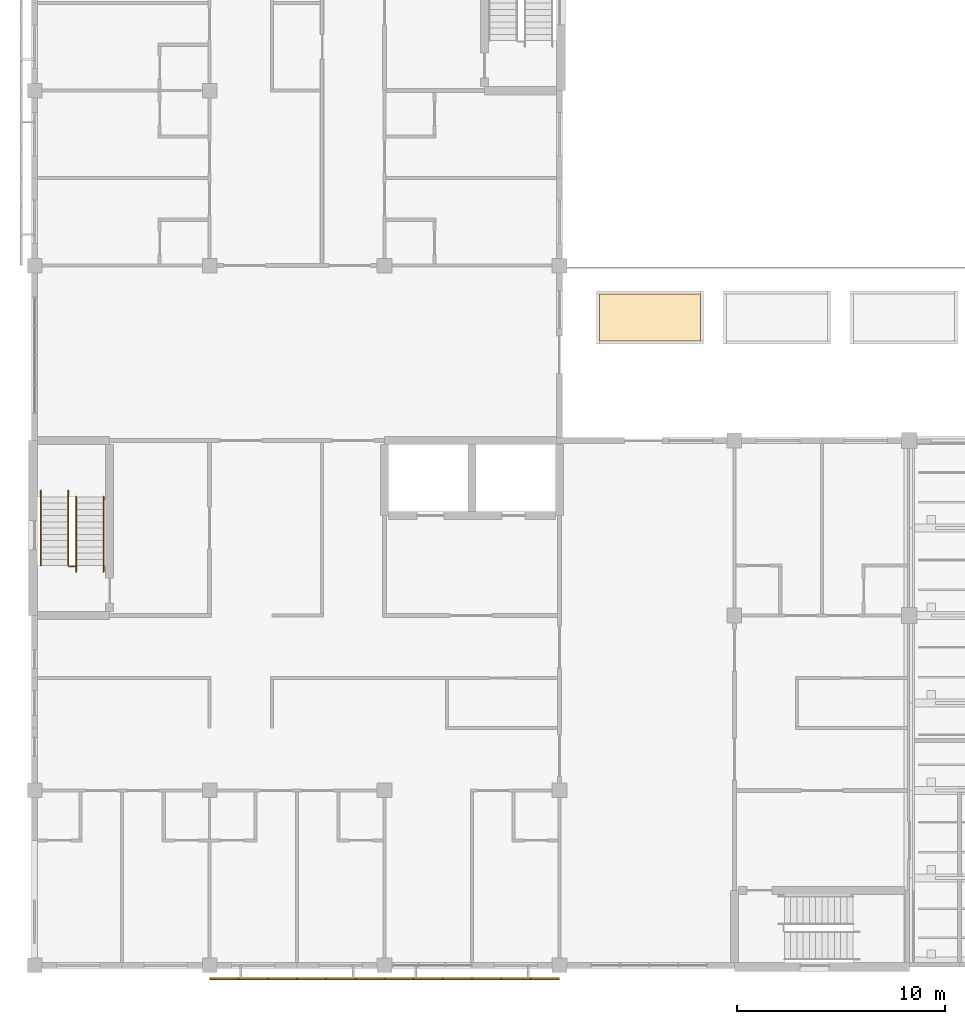
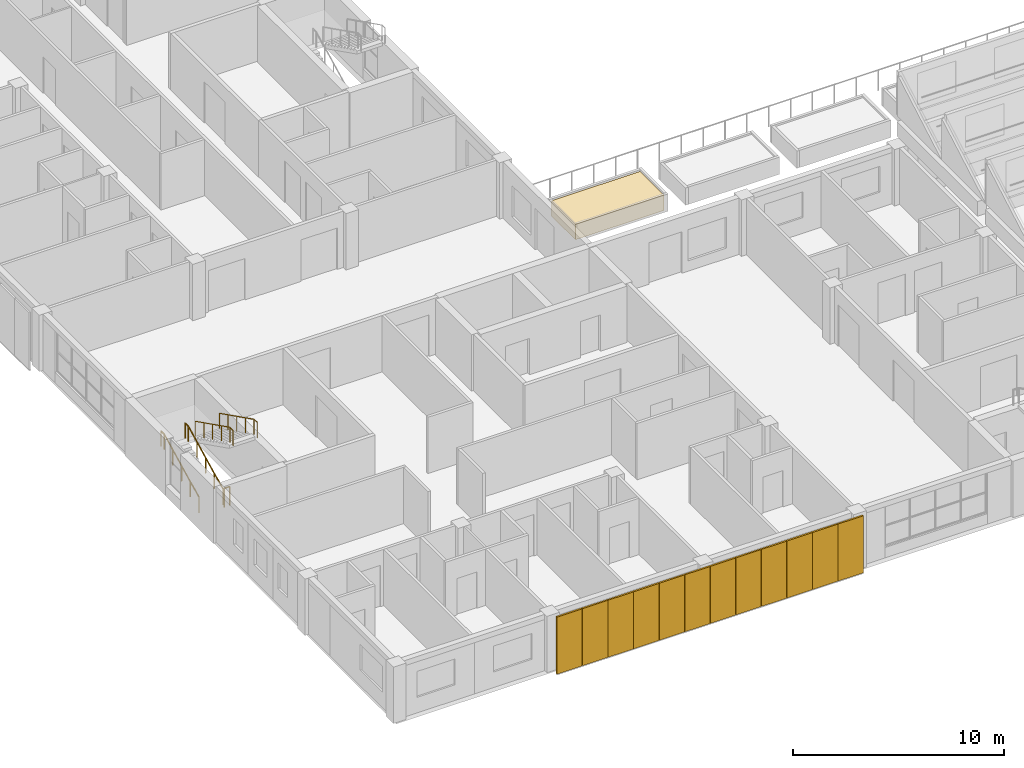
# One storey, part 53 of 61: 12 shading devices, 5 railings, 1 covering.
"""IFC4 building model written with IfcOpenShell, lengths in metres."""

from ifc_helpers import new_model, si_unit, direction, frame, origin, origin_2d, place, context, subcontext, project, spatial, polyline, rectangle, circle, outline, extrude, material, layer, layer_set, type_object, element, save


model = new_model("IFC4")

# Units and contexts
model_context = context("Model", 3, precision=1e-05, world=origin(), true_north=direction((0.0, 1.0)))
body_context = subcontext(model_context, "Body", "Model", "MODEL_VIEW")
ifc_project = project(units=[si_unit("LENGTHUNIT", "METRE"), si_unit("AREAUNIT", "SQUARE_METRE"), si_unit("VOLUMEUNIT", "CUBIC_METRE"), si_unit("PLANEANGLEUNIT", "RADIAN"), si_unit("MASSUNIT", "GRAM", prefix="KILO")], contexts=[model_context])

# Site, building, storey
site_placement = place(None, origin())
site = spatial("IfcSite", under=ifc_project, at=site_placement, CompositionType="ELEMENT")
building_placement = place(site_placement, origin())
building = spatial("IfcBuilding", under=site, at=building_placement, Name="Yavir Park General Hospital", CompositionType="ELEMENT")
storey_placement = place(building_placement, frame((0.0, 0.0, 15.300048828125)))
storey = spatial("IfcBuildingStorey", under=building, at=storey_placement, Name="L03", CompositionType="ELEMENT", Elevation=15.300048828125)

# Covering
ifc_material_1 = material(Name="Green roof substrate")
ifc_layer_1 = layer(ifc_material_1, 0.89990234375)
ifc_layer_set_1 = layer_set([ifc_layer_1], Name="Green roof substrate")
covering_type = type_object("IfcCoveringType", Name="Green roof substrate 900", PredefinedType="FLOORING", material=ifc_layer_set_1)
covering_placement = place(storey_placement, origin())
element("IfcCovering", 1, at=covering_placement, inside=storey, type_object=covering_type, Name="Planting bed substrate 1", PredefinedType="FLOORING", context=body_context, shape_type="SweptSolid", body=[
    extrude(outline(polyline([(27.122802734375, 29.97509765625), (31.972900390625, 29.97509765625), (31.972900390625, 32.22509765625), (27.122802734375, 32.22509765625), (27.122802734375, 29.97509765625)])), origin(), (0.0, 0.0, 1.0), 0.89990234375),
])

# Shading devices
ifc_material_2 = material(Name="Precast concrete perforated block panel", Category="concrete")
ifc_layer_2 = layer(ifc_material_2, 0.092041015625)
ifc_layer_set_2 = layer_set([ifc_layer_2], Name="Precast concrete perforated block panel")
shading_device_type = type_object("IfcShadingDeviceType", Name="Precast breeze-block screen panel 1380 x 3300 x 92", PredefinedType="JALOUSIE", material=ifc_layer_set_2)
for number, where, z_axis, x_axis, name in (
    (2, (9.10009765625, -0.64990234375, 0.0), (0.0, 0.0, 1.0), (1.0, 0.0, 0.0), "Screen panel S2.1.1"),
    (3, (10.5, -0.64990234375, 0.0), (0.0, 0.0, 1.0), (1.0, 0.0, 0.0), "Screen panel S2.1.2"),
    (4, (11.89990234375, -0.64990234375, 0.0), (0.0, 0.0, 1.0), (1.0, 0.0, 0.0), "Screen panel S2.1.3"),
    (5, (13.300048828125, -0.64990234375, 0.0), (0.0, 0.0, 1.0), (1.0, 0.0, 0.0), "Screen panel S2.1.4"),
    (6, (14.699951171875, -0.64990234375, 0.0), (0.0, 0.0, 1.0), (1.0, 0.0, 0.0), "Screen panel S2.1.5"),
    (7, (16.10009765625, -0.64990234375, 0.0), (0.0, 0.0, 1.0), (1.0, 0.0, 0.0), "Screen panel S2.1.6"),
    (8, (17.5, -0.64990234375, 0.0), (0.0, 0.0, 1.0), (1.0, 0.0, 0.0), "Screen panel S3.1.1"),
    (9, (18.89990234375, -0.64990234375, 0.0), (0.0, 0.0, 1.0), (1.0, 0.0, 0.0), "Screen panel S3.1.2"),
    (10, (20.300048828125, -0.64990234375, 0.0), (0.0, 0.0, 1.0), (1.0, 0.0, 0.0), "Screen panel S3.1.3"),
    (11, (21.699951171875, -0.64990234375, 0.0), (0.0, 0.0, 1.0), (1.0, 0.0, 0.0), "Screen panel S3.1.4"),
    (12, (23.10009765625, -0.64990234375, 0.0), (0.0, 0.0, 1.0), (1.0, 0.0, 0.0), "Screen panel S3.1.5"),
    (13, (24.5, -0.64990234375, 0.0), (0.0, 0.0, 1.0), (1.0, 0.0, 0.0), "Screen panel S3.1.6"),
):
    element("IfcShadingDevice", number, at=place(storey_placement, frame(where, z_axis=z_axis, x_axis=x_axis)), inside=storey, type_object=shading_device_type, Name=name, PredefinedType="JALOUSIE", context=body_context, shape_type="SweptSolid", body=[
        extrude(rectangle(XDim=1.3798828125, YDim=0.092041015625, at=origin_2d()), origin(), (0.0, 0.0, 1.0), 3.300048828125),
    ])

# Railings
ifc_material_3 = material(Name="Steel balustrade with infill rods", Category="steel")
railing_type_1 = type_object("IfcRailingType", Name="Stair guard, steel balustrade 1100 mm", PredefinedType="GUARDRAIL", material=ifc_material_3)
railing_placement = place(storey_placement, frame((1.64990234375, 19.169921875, 0.0)))
element("IfcRailing", 14, at=railing_placement, inside=storey, type_object=railing_type_1, Name="Stair well guard SU1 L03", PredefinedType="GUARDRAIL", context=body_context, shape_type="SweptSolid", body=[
    extrude(circle(Radius=0.02392578125, at=origin_2d()), frame((0.0, 0.0, 1.076171875), z_axis=(1.0, 0.0, 0.0), x_axis=(0.0, 1.0, 0.0)), (0.0, 0.0, 1.0), 0.300048828125),
    extrude(circle(Radius=0.02099609375, at=origin_2d()), origin(), (0.0, 0.0, 1.0), 1.052001953125),
    extrude(circle(Radius=0.02099609375, at=origin_2d()), frame((0.300048828125, 0.0, 0.0)), (0.0, 0.0, 1.0), 1.052001953125),
])
ifc_material_4 = material(Name="Stainless steel tube 48 mm", Category="steel")
railing_type_2 = type_object("IfcRailingType", Name="Stair handrail, steel tube, 900 mm above the nosings", PredefinedType="HANDRAIL", material=ifc_material_4)
for number, where, name in (
    (15, (0.2900390625, 19.199951171875, 0.14990234375), "Handrail SU1 L03 1"),
    (16, (1.610107421875, 19.199951171875, 0.14990234375), "Handrail SU1 L03 2"),
):
    element("IfcRailing", number, at=place(storey_placement, frame(where)), inside=storey, type_object=railing_type_2, Name=name, PredefinedType="HANDRAIL", context=body_context, shape_type="SweptSolid", body=[
        extrude(circle(Radius=0.02392578125, at=origin_2d()), frame((0.0, 0.0, 0.8759765625), z_axis=(0.0, 0.894413956696, 0.447240063129), x_axis=(-1.0, 0.0, 0.0)), (0.0, 0.0, 1.0), 3.689697265625),
        extrude(circle(Radius=0.02392578125, at=origin_2d()), frame((0.0, 3.300048828125, 2.52587890625), z_axis=(0.0, 1.0, 0.0), x_axis=(-1.0, 0.0, 0.0)), (0.0, 0.0, 1.0), 0.300048828125),
        extrude(circle(Radius=0.02099609375, at=origin_2d()), origin(), (0.0, 0.0, 1.0), 0.851806640625),
        extrude(circle(Radius=0.02099609375, at=origin_2d()), frame((0.0, 0.824951171875, 0.41259765625)), (0.0, 0.0, 1.0), 0.851806640625),
        extrude(circle(Radius=0.02099609375, at=origin_2d()), frame((0.0, 1.64990234375, 0.8251953125)), (0.0, 0.0, 1.0), 0.851806640625),
        extrude(circle(Radius=0.02099609375, at=origin_2d()), frame((0.0, 2.47509765625, 1.237548828125)), (0.0, 0.0, 1.0), 0.851806640625),
        extrude(circle(Radius=0.02099609375, at=origin_2d()), frame((0.0, 3.300048828125, 1.650146484375)), (0.0, 0.0, 1.0), 0.851806640625),
        extrude(circle(Radius=0.02099609375, at=origin_2d()), frame((0.0, 3.60009765625, 1.650146484375)), (0.0, 0.0, 1.0), 0.851806640625),
    ])
for number, where, name in (
    (17, (3.31005859375, 22.5, 1.949951171875), "Handrail SU1 L03 3"),
    (18, (1.989990234375, 22.5, 1.949951171875), "Handrail SU1 L03 4"),
):
    element("IfcRailing", number, at=place(storey_placement, frame(where)), inside=storey, type_object=railing_type_2, Name=name, PredefinedType="HANDRAIL", context=body_context, shape_type="SweptSolid", body=[
        extrude(circle(Radius=0.02392578125, at=origin_2d()), frame((0.0, 0.0, 0.8759765625), z_axis=(0.0, -0.894440424912, 0.447187126696), x_axis=(1.0, 0.0, 0.0)), (0.0, 0.0, 1.0), 3.689453125),
        extrude(circle(Radius=0.02392578125, at=origin_2d()), frame((0.0, -3.300048828125, 2.52587890625), z_axis=(0.0, -1.0, 0.0), x_axis=(1.0, 0.0, 0.0)), (0.0, 0.0, 1.0), 0.300048828125),
        extrude(circle(Radius=0.02099609375, at=origin_2d()), origin(), (0.0, 0.0, 1.0), 0.851806640625),
        extrude(circle(Radius=0.02099609375, at=origin_2d()), frame((0.0, -0.824951171875, 0.41259765625)), (0.0, 0.0, 1.0), 0.851806640625),
        extrude(circle(Radius=0.02099609375, at=origin_2d()), frame((0.0, -1.64990234375, 0.824951171875)), (0.0, 0.0, 1.0), 0.851806640625),
        extrude(circle(Radius=0.02099609375, at=origin_2d()), frame((0.0, -2.47509765625, 1.2373046875)), (0.0, 0.0, 1.0), 0.851806640625),
        extrude(circle(Radius=0.02099609375, at=origin_2d()), frame((0.0, -3.300048828125, 1.64990234375)), (0.0, 0.0, 1.0), 0.851806640625),
        extrude(circle(Radius=0.02099609375, at=origin_2d()), frame((0.0, -3.60009765625, 1.64990234375)), (0.0, 0.0, 1.0), 0.851806640625),
    ])

save(model, "model.ifc")
